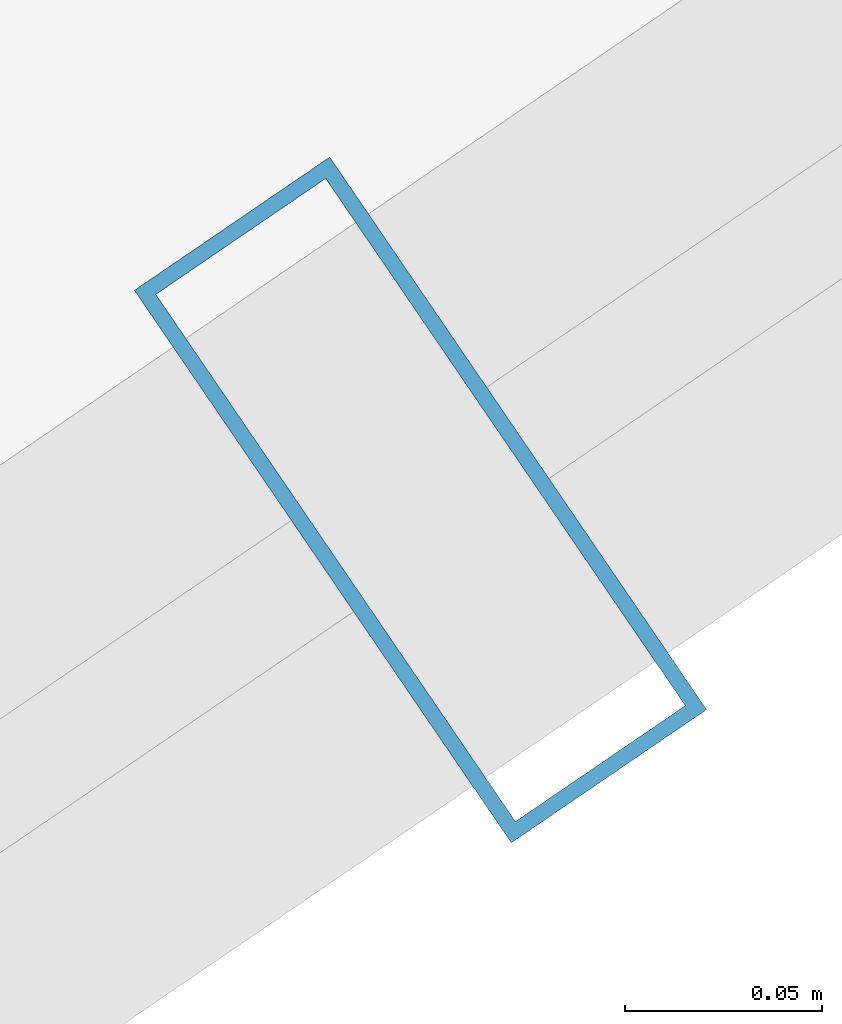
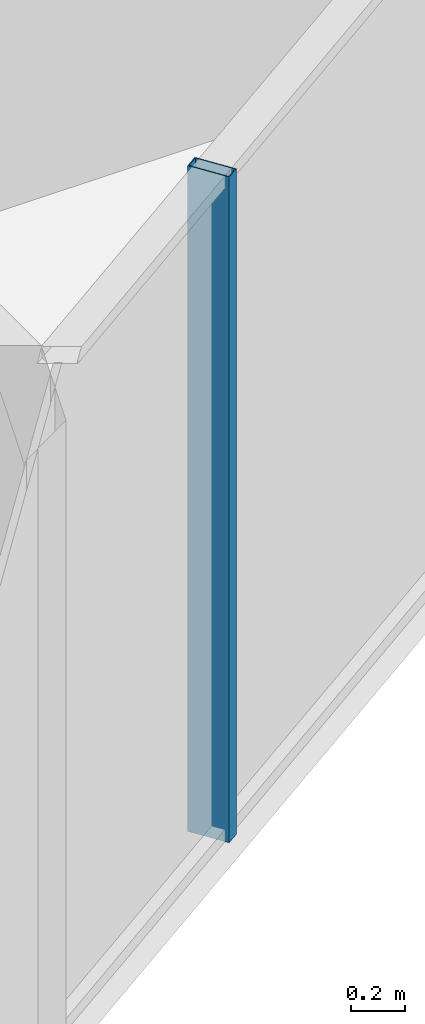
# One storey, part 8 of 35: 1 member, 1 element without a shape of its own.
"""IFC4 building model written with IfcOpenShell, lengths in metres."""

from ifc_helpers import new_model, si_unit, direction, frame, origin, origin_2d, place, context, subcontext, project, spatial, hollow_rectangle, extrude, source, transform, mapped, material, layer, layer_set, material_profile, profile_set, type_object, element, aggregate, save


model = new_model("IFC4")

# Units and contexts
model_context = context("Model", 3, precision=1e-05, world=origin(), true_north=direction((0.0, 1.0)))
body_context = subcontext(model_context, "Body", "Model", "MODEL_VIEW")
ifc_project = project(units=[si_unit("LENGTHUNIT", "METRE"), si_unit("AREAUNIT", "SQUARE_METRE"), si_unit("VOLUMEUNIT", "CUBIC_METRE"), si_unit("PLANEANGLEUNIT", "RADIAN"), si_unit("MASSUNIT", "GRAM", prefix="KILO")], contexts=[model_context])

# Site, building, storey
site_placement = place(None, origin())
site = spatial("IfcSite", under=ifc_project, at=site_placement, CompositionType="ELEMENT")
building_placement = place(site_placement, origin())
building = spatial("IfcBuilding", under=site, at=building_placement, Name="Veraguas Prism Commons", CompositionType="ELEMENT")
storey_placement = place(building_placement, frame((0.0, 0.0, 142.5)))
storey = spatial("IfcBuildingStorey", under=building, at=storey_placement, Name="L40", CompositionType="ELEMENT", Elevation=142.5)

# Curtain wall, member
ifc_material = material(Name="Anodised aluminium EN AW-6063 T6", Category="aluminium")
ifc_layer = layer(ifc_material, 0.169921875, Name="Unitised Flush Curtain Wall Zone 2", Category="aluminium")
ifc_layer_set = layer_set([ifc_layer], Name="Anodised aluminium EN AW-6063 T6")
curtain_wall_type = type_object("IfcCurtainWallType", Name="Unitised Flush Curtain Wall Zone 2", PredefinedType="NOTDEFINED", material=ifc_layer_set)
curtain_wall_placement = place(storey_placement, origin())
curtain_wall = element("IfcCurtainWall", 1, at=curtain_wall_placement, inside=storey, type_object=curtain_wall_type, Name="Tower Facade Curtain Wall L40-F5", PredefinedType="NOTDEFINED")
ifc_material_profile = material_profile(ifc_material, hollow_rectangle(XDim=0.06005859375, YDim=0.169921875, WallThickness=0.00390625, at=origin_2d()), Name="AL60X170X4")
ifc_profile_set = profile_set([ifc_material_profile], Name="Anodised aluminium EN AW-6063 T6")
member_type = type_object("IfcMemberType", Name="Curtain Wall Mullion Lower AL 60x170x4", PredefinedType="MULLION", material=ifc_profile_set)
shared_shape = source(origin(), body_context, "Body", "SweptSolid", [
    extrude(hollow_rectangle(XDim=0.06005859375, YDim=0.169921875, WallThickness=0.00390625, at=origin_2d()), origin(), (0.0, 0.0, 1.0), 3.0),
])
member_placement = place(storey_placement, frame((34.809814453125, 8.1533203125, 0.0), z_axis=(0.0, 0.0, 1.0), x_axis=(0.826097310956, 0.56352749075, 0.0)))
member = element("IfcMember", 2, at=member_placement, type_object=member_type, Name="CW-Z2 Mullion 3", PredefinedType="MULLION", context=body_context, shape_type="MappedRepresentation", body=[
    mapped(shared_shape, transform((0.0, 0.0, 0.0), scale=1.0)),
])
aggregate(curtain_wall, [member])

save(model, "model.ifc")
